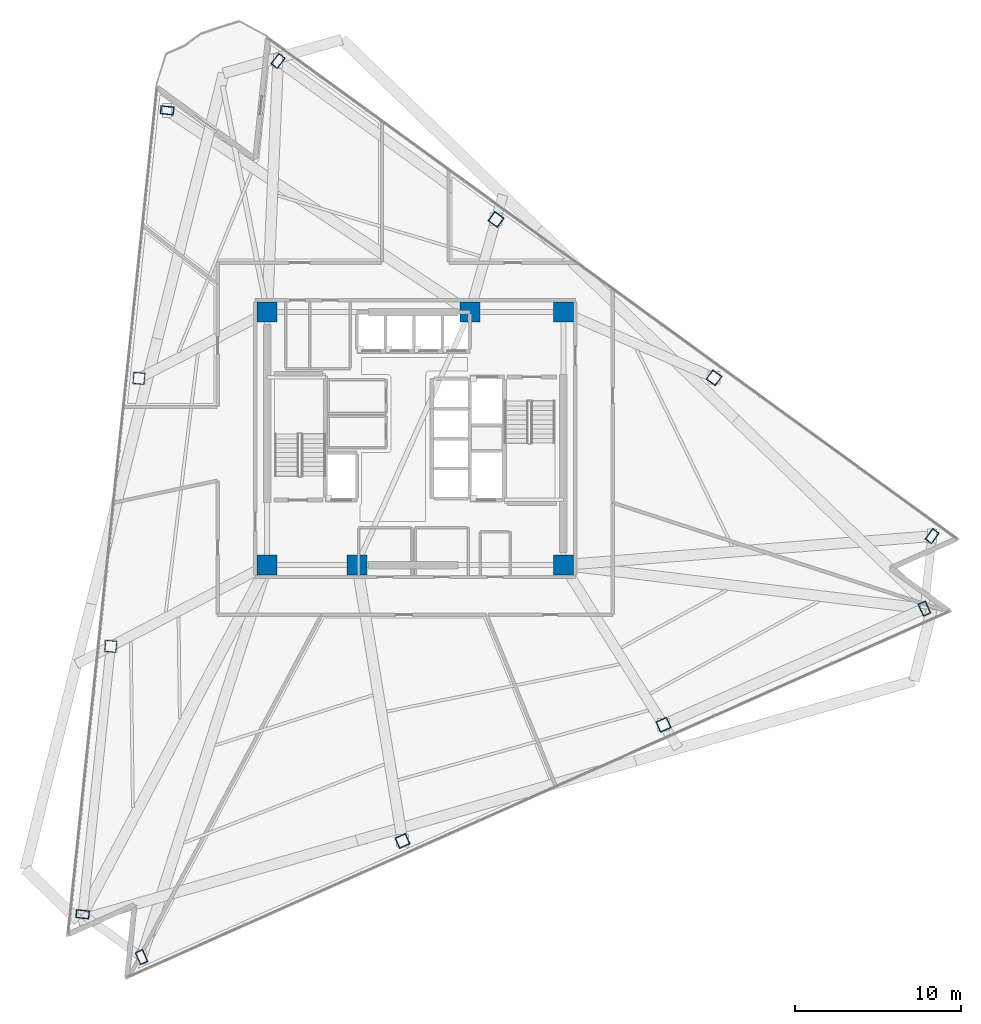
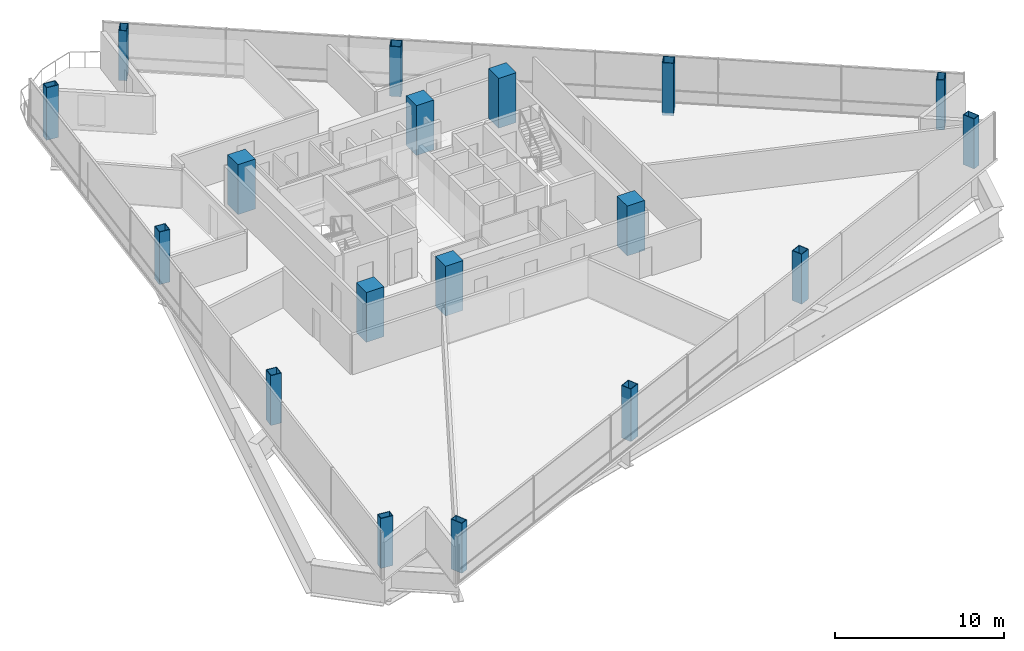
# One storey, part 1 of 17: 18 columns.
"""IFC4 building model written with IfcOpenShell, lengths in metres."""

from ifc_helpers import new_model, si_unit, direction, frame, origin, origin_2d, place, context, subcontext, project, spatial, rectangle, hollow_rectangle, extrude, material, material_profile, profile_set, type_object, element, save


model = new_model("IFC4")

# Units and contexts
model_context = context("Model", 3, precision=1e-05, world=origin(), true_north=direction((0.0, 1.0)))
body_context = subcontext(model_context, "Body", "Model", "MODEL_VIEW")
ifc_project = project(units=[si_unit("LENGTHUNIT", "METRE"), si_unit("AREAUNIT", "SQUARE_METRE"), si_unit("VOLUMEUNIT", "CUBIC_METRE"), si_unit("PLANEANGLEUNIT", "RADIAN"), si_unit("MASSUNIT", "GRAM", prefix="KILO")], contexts=[model_context])

# Site, building, storey
site_placement = place(None, origin())
site = spatial("IfcSite", under=ifc_project, at=site_placement, CompositionType="ELEMENT")
building_placement = place(site_placement, origin())
building = spatial("IfcBuilding", under=site, at=building_placement, Name="Tharavind Bronze Gate", CompositionType="ELEMENT")
storey_placement = place(building_placement, frame((0.0, 0.0, 112.449951171875)))
storey = spatial("IfcBuildingStorey", under=building, at=storey_placement, Name="L28", CompositionType="ELEMENT", Elevation=112.449951171875)

# Columns
ifc_material_1 = material(Name="Steel S460", Category="steel")
ifc_material_profile_1 = material_profile(ifc_material_1, hollow_rectangle(XDim=0.5, YDim=0.800048828125, WallThickness=0.0400390625, at=origin_2d()), Name="RHS800X500X40")
ifc_profile_set_1 = profile_set([ifc_material_profile_1], Name="Steel S460")
column_type_1 = type_object("IfcColumnType", Name="CORNER NOTCH COLUMN RHS800X500", PredefinedType="COLUMN", material=ifc_profile_set_1)
column_1_placement = place(storey_placement, frame((-14.91748046875, 19.7314453125, -0.18994140625), z_axis=(0.0, 0.0, 1.0), x_axis=(0.104530199036, 0.99452171293, 0.0)))
element("IfcColumn", 1, at=column_1_placement, inside=storey, type_object=column_type_1, Name="L28 perimeter column S1C1", PredefinedType="COLUMN", context=body_context, shape_type="SweptSolid", body=[
    extrude(hollow_rectangle(XDim=0.5, YDim=0.800048828125, WallThickness=0.0400390625, at=origin_2d()), origin(), (0.0, 0.0, 1.0), 3.7900390625),
])
for number, where, z_axis, x_axis, name in (
    (2, (-19.9970703125, -28.597900390625, 0.0), (0.0, 0.0, 1.0), (0.104530199036, 0.99452171293, 0.0), "L28 perimeter column S1C4"),
    (3, (-16.45361328125, -31.17236328125, 0.0), (0.0, 0.0, 1.0), (0.913545457643, 0.406736643076, 0.0), "L28 perimeter column S2C1"),
    (4, (30.60791015625, -10.218994140625, 0.0), (0.0, 0.0, 1.0), (0.913545457643, 0.406736643076, 0.0), "L28 perimeter column S2C4"),
    (5, (31.06591796875, -5.863037109375, 0.0), (0.0, 0.0, 1.0), (-0.809016994375, 0.587785252292, 0.0), "L28 perimeter column S3C1"),
    (6, (-8.24853515625, 22.70068359375, 0.0), (0.0, 0.0, 1.0), (-0.809016994375, 0.587785252292, 0.0), "L28 perimeter column S3C4"),
):
    element("IfcColumn", number, at=place(storey_placement, frame(where, z_axis=z_axis, x_axis=x_axis)), inside=storey, type_object=column_type_1, Name=name, PredefinedType="COLUMN", context=body_context, shape_type="SweptSolid", body=[
        extrude(hollow_rectangle(XDim=0.5, YDim=0.800048828125, WallThickness=0.0400390625, at=origin_2d()), origin(), (0.0, 0.0, 1.0), 3.60009765625),
    ])
ifc_material_2 = material(Name="Concrete C60/75", Category="concrete")
ifc_material_profile_2 = material_profile(ifc_material_2, rectangle(XDim=1.199951171875, YDim=1.199951171875, at=origin_2d()), Name="RCCOL1200")
ifc_profile_set_2 = profile_set([ifc_material_profile_2], Name="Concrete C60/75")
column_type_2 = type_object("IfcColumnType", Name="MEGA CORE COLUMN 1200", PredefinedType="COLUMN", material=ifc_profile_set_2)
for number, where, z_axis, x_axis, name in (
    (7, (-8.89990234375, -7.60009765625, 0.0), (0.0, 0.0, 1.0), (1.0, 0.0, 0.0), "L28 core mega column MC1"),
    (8, (-3.5, -7.60009765625, 0.0), (0.0, 0.0, 1.0), (1.0, 0.0, 0.0), "L28 core mega column MC2"),
    (9, (8.89990234375, -7.60009765625, 0.0), (0.0, 0.0, 1.0), (1.0, 0.0, 0.0), "L28 core mega column MC3"),
    (10, (8.89990234375, 7.60009765625, 0.0), (0.0, 0.0, 1.0), (1.0, 0.0, 0.0), "L28 core mega column MC4"),
    (11, (3.280029296875, 7.60009765625, 0.0), (0.0, 0.0, 1.0), (1.0, 0.0, 0.0), "L28 core mega column MC5"),
    (12, (-8.89990234375, 7.60009765625, 0.0), (0.0, 0.0, 1.0), (1.0, 0.0, 0.0), "L28 core mega column MC6"),
):
    element("IfcColumn", number, at=place(storey_placement, frame(where, z_axis=z_axis, x_axis=x_axis)), inside=storey, type_object=column_type_2, Name=name, PredefinedType="COLUMN", context=body_context, shape_type="SweptSolid", body=[
        extrude(rectangle(XDim=1.199951171875, YDim=1.199951171875, at=origin_2d()), origin(), (0.0, 0.0, 1.0), 3.60009765625),
    ])
ifc_material_profile_3 = material_profile(ifc_material_1, hollow_rectangle(XDim=0.699951171875, YDim=0.699951171875, WallThickness=0.0400390625, at=origin_2d()), Name="SHS700X40")
ifc_profile_set_3 = profile_set([ifc_material_profile_3], Name="Steel S460")
column_type_3 = type_object("IfcColumnType", Name="PERIMETER BOX COLUMN SHS700", PredefinedType="COLUMN", material=ifc_profile_set_3)
column_2_placement = place(storey_placement, frame((-16.610595703125, 3.62158203125, -0.18994140625), z_axis=(0.0, 0.0, 1.0), x_axis=(0.104530199036, 0.99452171293, 0.0)))
element("IfcColumn", 13, at=column_2_placement, inside=storey, type_object=column_type_3, Name="L28 perimeter column S1C2", PredefinedType="COLUMN", context=body_context, shape_type="SweptSolid", body=[
    extrude(hollow_rectangle(XDim=0.699951171875, YDim=0.699951171875, WallThickness=0.0400390625, at=origin_2d()), origin(), (0.0, 0.0, 1.0), 3.7900390625),
])
column_3_placement = place(storey_placement, frame((-18.303955078125, -12.488037109375, 0.0), z_axis=(0.0, 0.0, 1.0), x_axis=(0.104530199036, 0.99452171293, 0.0)))
element("IfcColumn", 14, at=column_3_placement, inside=storey, type_object=column_type_3, Name="L28 perimeter column S1C3", PredefinedType="COLUMN", context=body_context, shape_type="SweptSolid", body=[
    extrude(hollow_rectangle(XDim=0.699951171875, YDim=0.699951171875, WallThickness=0.0400390625, at=origin_2d()), origin(), (0.0, 0.0, 1.0), 3.60009765625),
])
column_4_placement = place(storey_placement, frame((-0.766357421875, -24.18798828125, -0.18994140625), z_axis=(0.0, 0.0, 1.0), x_axis=(0.913545457643, 0.406736643076, 0.0)))
element("IfcColumn", 15, at=column_4_placement, inside=storey, type_object=column_type_3, Name="L28 perimeter column S2C2", PredefinedType="COLUMN", context=body_context, shape_type="SweptSolid", body=[
    extrude(hollow_rectangle(XDim=0.699951171875, YDim=0.699951171875, WallThickness=0.0400390625, at=origin_2d()), origin(), (0.0, 0.0, 1.0), 3.7900390625),
])
column_5_placement = place(storey_placement, frame((14.9208984375, -17.20361328125, 0.0), z_axis=(0.0, 0.0, 1.0), x_axis=(0.913545457643, 0.406736643076, 0.0)))
element("IfcColumn", 16, at=column_5_placement, inside=storey, type_object=column_type_3, Name="L28 perimeter column S2C3", PredefinedType="COLUMN", context=body_context, shape_type="SweptSolid", body=[
    extrude(hollow_rectangle(XDim=0.699951171875, YDim=0.699951171875, WallThickness=0.0400390625, at=origin_2d()), origin(), (0.0, 0.0, 1.0), 3.60009765625),
])
column_6_placement = place(storey_placement, frame((17.961181640625, 3.658203125, -0.18994140625), z_axis=(0.0, 0.0, 1.0), x_axis=(-0.809016994375, 0.587785252292, 0.0)))
element("IfcColumn", 17, at=column_6_placement, inside=storey, type_object=column_type_3, Name="L28 perimeter column S3C2", PredefinedType="COLUMN", context=body_context, shape_type="SweptSolid", body=[
    extrude(hollow_rectangle(XDim=0.699951171875, YDim=0.699951171875, WallThickness=0.0400390625, at=origin_2d()), origin(), (0.0, 0.0, 1.0), 3.7900390625),
])
column_7_placement = place(storey_placement, frame((4.856201171875, 13.179443359375, 0.0), z_axis=(0.0, 0.0, 1.0), x_axis=(-0.809016994375, 0.587785252292, 0.0)))
element("IfcColumn", 18, at=column_7_placement, inside=storey, type_object=column_type_3, Name="L28 perimeter column S3C3", PredefinedType="COLUMN", context=body_context, shape_type="SweptSolid", body=[
    extrude(hollow_rectangle(XDim=0.699951171875, YDim=0.699951171875, WallThickness=0.0400390625, at=origin_2d()), origin(), (0.0, 0.0, 1.0), 3.60009765625),
])

save(model, "model.ifc")
